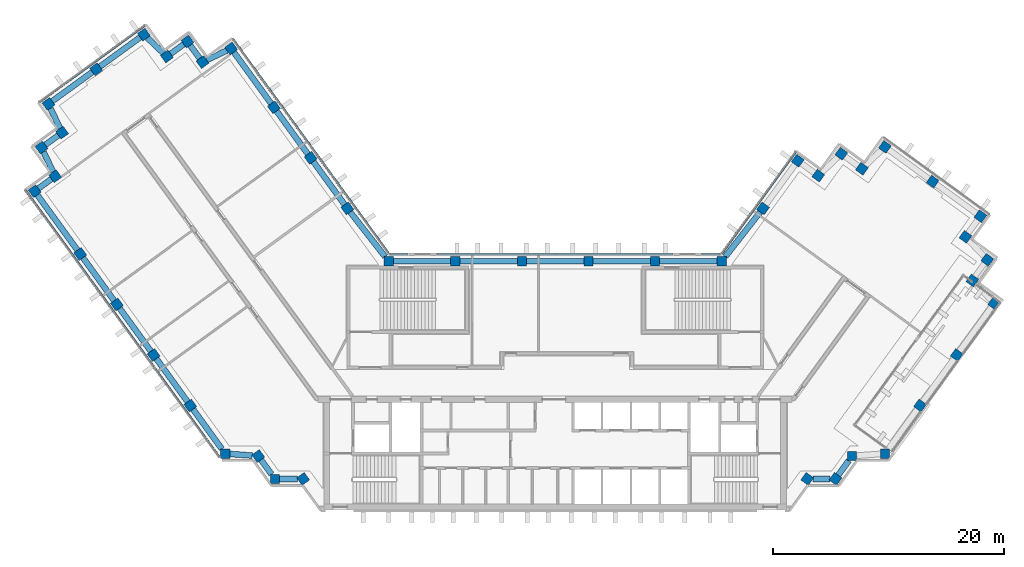
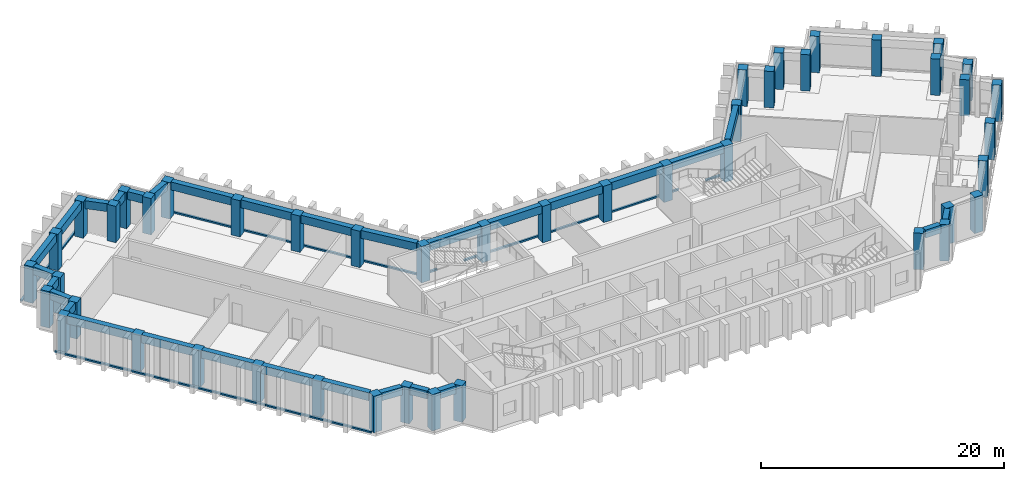
"""IFC4 building model written with IfcOpenShell, lengths in metres."""

from ifc_helpers import new_model, si_unit, direction, frame, origin, origin_2d, place, context, subcontext, project, spatial, rectangle, extrude, material, material_profile, profile_set, type_object, element, aggregate, save


model = new_model("IFC4")

# Units and contexts
model_context = context("Model", 3, precision=1e-05, world=origin(), true_north=direction((0.0, 1.0)))
body_context = subcontext(model_context, "Body", "Model", "MODEL_VIEW")
ifc_project = project(units=[si_unit("LENGTHUNIT", "METRE"), si_unit("AREAUNIT", "SQUARE_METRE"), si_unit("VOLUMEUNIT", "CUBIC_METRE"), si_unit("PLANEANGLEUNIT", "RADIAN"), si_unit("MASSUNIT", "GRAM", prefix="KILO")], contexts=[model_context])

# Site, building, storey
site_placement = place(None, origin())
site = spatial("IfcSite", under=ifc_project, at=site_placement, CompositionType="ELEMENT")
building_placement = place(site_placement, origin())
building = spatial("IfcBuilding", under=site, at=building_placement, Name="Quipu Civic Tower", CompositionType="ELEMENT")
storey_1_placement = place(building_placement, frame((0.0, 0.0, 202.0)))
storey_1 = spatial("IfcBuildingStorey", under=building, at=storey_1_placement, Name="L47", CompositionType="ELEMENT", Elevation=202.0)

# Columns
ifc_material_1 = material(Name="Concrete C50/60", Category="concrete")
ifc_material_profile_1 = material_profile(ifc_material_1, rectangle(XDim=0.800048828125, YDim=0.800048828125, at=origin_2d()), Name="RC800x800")
ifc_profile_set_1 = profile_set([ifc_material_profile_1], Name="Concrete C50/60")
column_type = type_object("IfcColumnType", Name="Perimeter column RC 800x800 C50/60", PredefinedType="COLUMN", material=ifc_profile_set_1)
for number, where, z_axis, x_axis, name in (
    (1, (-17.9736328125, 15.074951171875, 0.0), (0.0, 0.0, 1.0), (-0.587785252292, 0.809016994375, 0.0), "Column L47 W-IN-01"),
    (2, (-21.1474609375, 19.44384765625, 0.0), (0.0, 0.0, 1.0), (-0.587785252292, 0.809016994375, 0.0), "Column L47 W-IN-02"),
    (3, (-24.3212890625, 23.8125, 0.0), (0.0, 0.0, 1.0), (-0.587785252292, 0.809016994375, 0.0), "Column L47 W-IN-03"),
    (4, (-28.02001953125, 28.905029296875, 0.0), (0.0, 0.0, 1.0), (-0.809016994375, -0.587785252292, 0.0), "Column L47 T-Wi.0-W34"),
    (5, (-30.498779296875, 27.72265625, 0.0), (0.0, 0.0, 1.0), (-0.809016994375, -0.587785252292, 0.0), "Column L47 T-Wi.1-W34"),
    (6, (-31.794921875, 29.5, 0.0), (0.0, 0.0, 1.0), (-0.587785252292, 0.809016994375, 0.0), "Column L47 T-Wi.2-W34"),
    (7, (-33.573974609375, 28.20947265625, 0.0), (0.0, 0.0, 1.0), (-0.587785252292, 0.809016994375, 0.0), "Column L47 T-Wi.3-W34"),
    (8, (-35.56494140625, 30.10009765625, 0.0), (0.0, 0.0, 1.0), (-0.809016994375, -0.587785252292, 0.0), "Column L47 T-Wi.4-W34"),
    (9, (-39.690673828125, 27.10205078125, 0.0), (0.0, 0.0, 1.0), (-0.809016994375, -0.587785252292, 0.0), "Column L47 TIP-W-01-W34"),
    (10, (-43.81494140625, 24.10498046875, 0.0), (0.0, 0.0, 1.0), (-0.809016994375, -0.587785252292, 0.0), "Column L47 T-Wo.0-W34"),
    (11, (-42.635009765625, 21.626220703125, 0.0), (0.0, 0.0, 1.0), (-0.809016994375, -0.587785252292, 0.0), "Column L47 T-Wo.1-W34"),
    (12, (-44.4150390625, 20.3349609375, 0.0), (0.0, 0.0, 1.0), (0.587785252292, -0.809016994375, 0.0), "Column L47 T-Wo.2-W34"),
    (13, (-43.23095703125, 17.8544921875, 0.0), (0.0, 0.0, 1.0), (0.587785252292, -0.809016994375, 0.0), "Column L47 T-Wo.3-W34"),
    (14, (-45.010009765625, 16.56005859375, 0.0), (0.0, 0.0, 1.0), (0.587785252292, -0.809016994375, 0.0), "Column L47 T-Wo.4-W34"),
    (15, (-41.0703125, 11.137451171875, 0.0), (0.0, 0.0, 1.0), (0.587785252292, -0.809016994375, 0.0), "Column L47 W-OUT-04"),
    (16, (-37.896240234375, 6.768798828125, 0.0), (0.0, 0.0, 1.0), (0.587785252292, -0.809016994375, 0.0), "Column L47 W-OUT-03"),
    (17, (-34.722412109375, 2.39990234375, 0.0), (0.0, 0.0, 1.0), (0.587785252292, -0.809016994375, 0.0), "Column L47 W-OUT-02"),
    (18, (-31.54833984375, -1.96875, 0.0), (0.0, 0.0, 1.0), (0.587785252292, -0.809016994375, 0.0), "Column L47 W-OUT-01"),
    (19, (-28.52490234375, -6.1298828125, 0.0), (0.0, 0.0, 1.0), (1.0, 0.0, 0.0), "Column L47 J-Wo.0"),
    (20, (-25.67431640625, -6.3369140625, 0.0), (0.0, 0.0, 1.0), (0.587785252292, -0.809016994375, 0.0), "Column L47 J-Wo.1"),
    (21, (-24.235107421875, -8.31494140625, 0.0), (0.0, 0.0, 1.0), (1.0, 0.0, 0.0), "Column L47 J-Wo.2"),
    (22, (-21.791748046875, -8.31494140625, 0.0), (0.0, 0.0, 1.0), (0.587785252292, -0.809016994375, 0.0), "Column L47 J-Wo.3"),
    (23, (21.791748046875, -8.31494140625, 0.0), (0.0, 0.0, 1.0), (0.587785252292, 0.809016994375, 0.0), "Column L47 J-Eo.1"),
    (24, (24.235107421875, -8.31494140625, 0.0), (0.0, 0.0, 1.0), (0.587785252292, 0.809016994375, 0.0), "Column L47 J-Eo.2"),
    (25, (25.67431640625, -6.3369140625, 0.0), (0.0, 0.0, 1.0), (1.0, 0.0, 0.0), "Column L47 J-Eo.3"),
    (26, (28.52490234375, -6.1298828125, 0.0), (0.0, 0.0, 1.0), (1.0, 0.0, 0.0), "Column L47 J-Eo.4"),
    (27, (31.54833984375, -1.96875, 0.0), (0.0, 0.0, 1.0), (0.587785252292, 0.809016994375, 0.0), "Column L47 E-OUT-01"),
    (28, (34.722412109375, 2.39990234375, 0.0), (0.0, 0.0, 1.0), (0.587785252292, 0.809016994375, 0.0), "Column L47 E-OUT-02"),
    (29, (37.9599609375, 6.85498046875, 0.0), (0.0, 0.0, 1.0), (0.587785252292, 0.809016994375, 0.0), "Column L47 T-Eo.0-E22"),
    (30, (36.068115234375, 8.843994140625, 0.0), (0.0, 0.0, 1.0), (0.587785252292, 0.809016994375, 0.0), "Column L47 T-Eo.1-E22"),
    (31, (37.360107421875, 10.625, 0.0), (0.0, 0.0, 1.0), (0.587785252292, 0.809016994375, 0.0), "Column L47 T-Eo.2-E22"),
    (32, (35.470703125, 12.616455078125, 0.0), (0.0, 0.0, 1.0), (-0.809016994375, 0.587785252292, 0.0), "Column L47 T-Eo.3-E22"),
    (33, (36.764892578125, 14.39501953125, 0.0), (0.0, 0.0, 1.0), (-0.809016994375, 0.587785252292, 0.0), "Column L47 T-Eo.4-E22"),
    (34, (32.636962890625, 17.39306640625, 0.0), (0.0, 0.0, 1.0), (-0.809016994375, 0.587785252292, 0.0), "Column L47 TIP-E-01-E22"),
    (35, (28.510009765625, 20.389892578125, 0.0), (0.0, 0.0, 1.0), (-0.587785252292, -0.809016994375, 0.0), "Column L47 T-Ei.0-E22"),
    (36, (26.51904296875, 18.50048828125, 0.0), (0.0, 0.0, 1.0), (-0.809016994375, 0.587785252292, 0.0), "Column L47 T-Ei.1-E22"),
    (37, (24.739990234375, 19.794921875, 0.0), (0.0, 0.0, 1.0), (-0.587785252292, -0.809016994375, 0.0), "Column L47 T-Ei.2-E22"),
    (38, (22.749267578125, 17.904296875, 0.0), (0.0, 0.0, 1.0), (-0.587785252292, -0.809016994375, 0.0), "Column L47 T-Ei.3-E22"),
    (39, (20.969970703125, 19.195068359375, 0.0), (0.0, 0.0, 1.0), (-0.587785252292, -0.809016994375, 0.0), "Column L47 T-Ei.4-E22"),
    (40, (17.9736328125, 15.074951171875, 0.0), (0.0, 0.0, 1.0), (-0.587785252292, -0.809016994375, 0.0), "Column L47 E-IN-01"),
    (41, (14.395263671875, 10.5, 0.0), (0.0, 0.0, 1.0), (-1.0, 0.0, 0.0), "Column L47 J-Ei.0"),
    (42, (8.63720703125, 10.5, 0.0), (0.0, 0.0, 1.0), (-1.0, 0.0, 0.0), "Column L47 FRONT-01"),
    (43, (2.87890625, 10.5, 0.0), (0.0, 0.0, 1.0), (-1.0, 0.0, 0.0), "Column L47 FRONT-02"),
    (44, (-2.87890625, 10.5, 0.0), (0.0, 0.0, 1.0), (-1.0, 0.0, 0.0), "Column L47 FRONT-03"),
    (45, (-8.63720703125, 10.5, 0.0), (0.0, 0.0, 1.0), (-1.0, 0.0, 0.0), "Column L47 FRONT-04"),
    (46, (-14.395263671875, 10.5, 0.0), (0.0, 0.0, 1.0), (-1.0, 0.0, 0.0), "Column L47 J-Wi.0"),
):
    element("IfcColumn", number, at=place(storey_1_placement, frame(where, z_axis=z_axis, x_axis=x_axis)), inside=storey_1, type_object=column_type, Name=name, PredefinedType="COLUMN", context=body_context, shape_type="SweptSolid", body=[
        extrude(rectangle(XDim=0.800048828125, YDim=0.800048828125, at=origin_2d()), origin(), (0.0, 0.0, 1.0), 3.64990234375),
    ])

# Beams
ifc_material_2 = material(Name="Concrete C50/60", Category="concrete")
ifc_material_profile_2 = material_profile(ifc_material_2, rectangle(XDim=0.5, YDim=0.800048828125, at=origin_2d()), Name="RC500x800")
ifc_profile_set_2 = profile_set([ifc_material_profile_2], Name="Concrete C50/60")
beam_type = type_object("IfcBeamType", Name="Spandrel beam RC 500x800 C50/60", PredefinedType="SPANDREL", material=ifc_profile_set_2)
beam_1_placement = place(storey_1_placement, frame((-18.208740234375, 15.398681640625, 3.25), z_axis=(-0.58776136044, 0.809034352283, 0.0), x_axis=(-0.809034352283, -0.58776136044, 0.0)))
element("IfcBeam", 47, at=beam_1_placement, inside=storey_1, type_object=beam_type, Name="Spandrel beam L47 W-IN-01 to W-IN-02", PredefinedType="SPANDREL", context=body_context, shape_type="SweptSolid", body=[
    extrude(rectangle(XDim=0.5, YDim=0.800048828125, at=origin_2d()), origin(), (0.0, 0.0, 1.0), 4.599853515625),
])
beam_2_placement = place(storey_1_placement, frame((-21.382568359375, 19.767333984375, 3.25), z_axis=(-0.587736122681, 0.809052686848, 0.0), x_axis=(-0.809052686848, -0.587736122681, 0.0)))
element("IfcBeam", 48, at=beam_2_placement, inside=storey_1, type_object=beam_type, Name="Spandrel beam L47 W-IN-02 to W-IN-03", PredefinedType="SPANDREL", context=body_context, shape_type="SweptSolid", body=[
    extrude(rectangle(XDim=0.5, YDim=0.800048828125, at=origin_2d()), origin(), (0.0, 0.0, 1.0), 4.60009765625),
])
beam_3_placement = place(storey_1_placement, frame((-24.556396484375, 24.13623046875, 3.25), z_axis=(-0.587664254196, 0.809104890815, 0.0), x_axis=(-0.809104890815, -0.587664254196, 0.0)))
element("IfcBeam", 49, at=beam_3_placement, inside=storey_1, type_object=beam_type, Name="Spandrel beam L47 W-IN-03 to T-Wi.0-W34", PredefinedType="SPANDREL", context=body_context, shape_type="SweptSolid", body=[
    extrude(rectangle(XDim=0.5, YDim=0.800048828125, at=origin_2d()), origin(), (0.0, 0.0, 1.0), 5.493896484375),
])
beam_4_placement = place(storey_1_placement, frame((-28.38720703125, 28.72998046875, 3.25), z_axis=(-0.902584802379, -0.430512107279, 0.0), x_axis=(0.430512107279, -0.902584802379, 0.0)))
element("IfcBeam", 50, at=beam_4_placement, inside=storey_1, type_object=beam_type, Name="Spandrel beam L47 T-Wi.0-W34 to T-Wi.1-W34", PredefinedType="SPANDREL", context=body_context, shape_type="SweptSolid", body=[
    extrude(rectangle(XDim=0.5, YDim=0.800048828125, at=origin_2d()), origin(), (0.0, 0.0, 1.0), 1.9326171875),
])
beam_5_placement = place(storey_1_placement, frame((-30.734375, 28.0458984375, 3.25), z_axis=(-0.589342949835, 0.80788296645, 0.0), x_axis=(-0.80788296645, -0.589342949835, 0.0)))
element("IfcBeam", 51, at=beam_5_placement, inside=storey_1, type_object=beam_type, Name="Spandrel beam L47 T-Wi.1-W34 to T-Wi.2-W34", PredefinedType="SPANDREL", context=body_context, shape_type="SweptSolid", body=[
    extrude(rectangle(XDim=0.5, YDim=0.800048828125, at=origin_2d()), origin(), (0.0, 0.0, 1.0), 1.39990234375),
])
beam_6_placement = place(storey_1_placement, frame((-32.118896484375, 29.26513671875, 3.25), z_axis=(-0.80941533633, -0.587236590578, 0.0), x_axis=(0.587236590578, -0.80941533633, 0.0)))
element("IfcBeam", 52, at=beam_6_placement, inside=storey_1, type_object=beam_type, Name="Spandrel beam L47 T-Wi.2-W34 to T-Wi.3-W34", PredefinedType="SPANDREL", context=body_context, shape_type="SweptSolid", body=[
    extrude(rectangle(XDim=0.5, YDim=0.800048828125, at=origin_2d()), origin(), (0.0, 0.0, 1.0), 1.397705078125),
])
beam_7_placement = place(storey_1_placement, frame((-33.868896484375, 28.489501953125, 3.25), z_axis=(-0.72519185421, 0.68854685722, 0.0), x_axis=(-0.68854685722, -0.72519185421, 0.0)))
element("IfcBeam", 53, at=beam_7_placement, inside=storey_1, type_object=beam_type, Name="Spandrel beam L47 T-Wi.3-W34 to T-Wi.4-W34", PredefinedType="SPANDREL", context=body_context, shape_type="SweptSolid", body=[
    extrude(rectangle(XDim=0.5, YDim=0.800048828125, at=origin_2d()), origin(), (0.0, 0.0, 1.0), 1.93212890625),
])
beam_8_placement = place(storey_1_placement, frame((-35.888671875, 29.86474609375, 3.25), z_axis=(-0.808983997561, -0.58783066583, 0.0), x_axis=(0.58783066583, -0.808983997561, 0.0)))
element("IfcBeam", 54, at=beam_8_placement, inside=storey_1, type_object=beam_type, Name="Spandrel beam L47 T-Wi.4-W34 to TIP-W-01-W34", PredefinedType="SPANDREL", context=body_context, shape_type="SweptSolid", body=[
    extrude(rectangle(XDim=0.5, YDim=0.800048828125, at=origin_2d()), origin(), (0.0, 0.0, 1.0), 4.2998046875),
])
beam_9_placement = place(storey_1_placement, frame((-40.014404296875, 26.866943359375, 3.25), z_axis=(-0.808947267178, -0.587881211578, 0.0), x_axis=(0.587881211578, -0.808947267178, 0.0)))
element("IfcBeam", 55, at=beam_9_placement, inside=storey_1, type_object=beam_type, Name="Spandrel beam L47 TIP-W-01-W34 to T-Wo.0-W34", PredefinedType="SPANDREL", context=body_context, shape_type="SweptSolid", body=[
    extrude(rectangle(XDim=0.5, YDim=0.800048828125, at=origin_2d()), origin(), (0.0, 0.0, 1.0), 4.29833984375),
])
beam_10_placement = place(storey_1_placement, frame((-43.64013671875, 23.737548828125, 3.25), z_axis=(0.429889421342, -0.902881545618, 0.0), x_axis=(0.902881545618, 0.429889421342, 0.0)))
element("IfcBeam", 56, at=beam_10_placement, inside=storey_1, type_object=beam_type, Name="Spandrel beam L47 T-Wo.0-W34 to T-Wo.1-W34", PredefinedType="SPANDREL", context=body_context, shape_type="SweptSolid", body=[
    extrude(rectangle(XDim=0.5, YDim=0.800048828125, at=origin_2d()), origin(), (0.0, 0.0, 1.0), 1.931396484375),
])
beam_11_placement = place(storey_1_placement, frame((-42.958740234375, 21.391357421875, 3.25), z_axis=(-0.809467380413, -0.587164849125, 0.0), x_axis=(0.587164849125, -0.809467380413, 0.0)))
element("IfcBeam", 57, at=beam_11_placement, inside=storey_1, type_object=beam_type, Name="Spandrel beam L47 T-Wo.1-W34 to T-Wo.2-W34", PredefinedType="SPANDREL", context=body_context, shape_type="SweptSolid", body=[
    extrude(rectangle(XDim=0.5, YDim=0.800048828125, at=origin_2d()), origin(), (0.0, 0.0, 1.0), 1.399169921875),
])
beam_12_placement = place(storey_1_placement, frame((-44.23974609375, 19.9677734375, 3.25), z_axis=(0.430785642718, -0.902454281406, 0.0), x_axis=(0.902454281406, 0.430785642718, 0.0)))
element("IfcBeam", 58, at=beam_12_placement, inside=storey_1, type_object=beam_type, Name="Spandrel beam L47 T-Wo.2-W34 to T-Wo.3-W34", PredefinedType="SPANDREL", context=body_context, shape_type="SweptSolid", body=[
    extrude(rectangle(XDim=0.5, YDim=0.800048828125, at=origin_2d()), origin(), (0.0, 0.0, 1.0), 1.934814453125),
])
beam_13_placement = place(storey_1_placement, frame((-43.554443359375, 17.619140625, 3.25), z_axis=(-0.808600329101, -0.588358315805, 0.0), x_axis=(0.588358315805, -0.808600329101, 0.0)))
element("IfcBeam", 59, at=beam_13_placement, inside=storey_1, type_object=beam_type, Name="Spandrel beam L47 T-Wo.3-W34 to T-Wo.4-W34", PredefinedType="SPANDREL", context=body_context, shape_type="SweptSolid", body=[
    extrude(rectangle(XDim=0.5, YDim=0.800048828125, at=origin_2d()), origin(), (0.0, 0.0, 1.0), 1.400146484375),
])
beam_14_placement = place(storey_1_placement, frame((-44.77490234375, 16.236328125, 3.25), z_axis=(0.58780026889, -0.809006083965, 0.0), x_axis=(0.809006083965, 0.58780026889, 0.0)))
element("IfcBeam", 60, at=beam_14_placement, inside=storey_1, type_object=beam_type, Name="Spandrel beam L47 T-Wo.4-W34 to W-OUT-04", PredefinedType="SPANDREL", context=body_context, shape_type="SweptSolid", body=[
    extrude(rectangle(XDim=0.5, YDim=0.800048828125, at=origin_2d()), origin(), (0.0, 0.0, 1.0), 5.902587890625),
])
beam_15_placement = place(storey_1_placement, frame((-40.835205078125, 10.81396484375, 3.25), z_axis=(0.587770861189, -0.809027449928, 0.0), x_axis=(0.809027449928, 0.587770861189, 0.0)))
element("IfcBeam", 61, at=beam_15_placement, inside=storey_1, type_object=beam_type, Name="Spandrel beam L47 W-OUT-04 to W-OUT-03", PredefinedType="SPANDREL", context=body_context, shape_type="SweptSolid", body=[
    extrude(rectangle(XDim=0.5, YDim=0.800048828125, at=origin_2d()), origin(), (0.0, 0.0, 1.0), 4.60009765625),
])
beam_16_placement = place(storey_1_placement, frame((-37.6611328125, 6.445068359375, 3.25), z_axis=(0.58776136044, -0.809034352283, 0.0), x_axis=(0.809034352283, 0.58776136044, 0.0)))
element("IfcBeam", 62, at=beam_16_placement, inside=storey_1, type_object=beam_type, Name="Spandrel beam L47 W-OUT-03 to W-OUT-02", PredefinedType="SPANDREL", context=body_context, shape_type="SweptSolid", body=[
    extrude(rectangle(XDim=0.5, YDim=0.800048828125, at=origin_2d()), origin(), (0.0, 0.0, 1.0), 4.599853515625),
])
beam_17_placement = place(storey_1_placement, frame((-34.4873046875, 2.076416015625, 3.25), z_axis=(0.587796098864, -0.809009113768, 0.0), x_axis=(0.809009113768, 0.587796098864, 0.0)))
element("IfcBeam", 63, at=beam_17_placement, inside=storey_1, type_object=beam_type, Name="Spandrel beam L47 W-OUT-02 to W-OUT-01", PredefinedType="SPANDREL", context=body_context, shape_type="SweptSolid", body=[
    extrude(rectangle(XDim=0.5, YDim=0.800048828125, at=origin_2d()), origin(), (0.0, 0.0, 1.0), 4.60009765625),
])
beam_18_placement = place(storey_1_placement, frame((-31.313232421875, -2.292236328125, 3.25), z_axis=(0.58776850526, -0.809029161541, 0.0), x_axis=(0.809029161541, 0.58776850526, 0.0)))
element("IfcBeam", 64, at=beam_18_placement, inside=storey_1, type_object=beam_type, Name="Spandrel beam L47 W-OUT-01 to J-Wo.0", PredefinedType="SPANDREL", context=body_context, shape_type="SweptSolid", body=[
    extrude(rectangle(XDim=0.5, YDim=0.800048828125, at=origin_2d()), origin(), (0.0, 0.0, 1.0), 4.249267578125),
])
beam_19_placement = place(storey_1_placement, frame((-28.125, -6.158935546875, 3.25), z_axis=(0.997370796499, -0.072467194581, 0.0), x_axis=(0.072467194581, 0.997370796499, 0.0)))
element("IfcBeam", 65, at=beam_19_placement, inside=storey_1, type_object=beam_type, Name="Spandrel beam L47 J-Wo.0 to J-Wo.1", PredefinedType="SPANDREL", context=body_context, shape_type="SweptSolid", body=[
    extrude(rectangle(XDim=0.5, YDim=0.800048828125, at=origin_2d()), origin(), (0.0, 0.0, 1.0), 1.933837890625),
])
beam_20_placement = place(storey_1_placement, frame((-25.43896484375, -6.660400390625, 3.25), z_axis=(0.588330737135, -0.808620395329, 0.0), x_axis=(0.808620395329, 0.588330737135, 0.0)))
element("IfcBeam", 66, at=beam_20_placement, inside=storey_1, type_object=beam_type, Name="Spandrel beam L47 J-Wo.1 to J-Wo.2", PredefinedType="SPANDREL", context=body_context, shape_type="SweptSolid", body=[
    extrude(rectangle(XDim=0.5, YDim=0.800048828125, at=origin_2d()), origin(), (0.0, 0.0, 1.0), 1.551513671875),
])
beam_21_placement = place(storey_1_placement, frame((-23.8349609375, -8.31494140625, 3.25), z_axis=(1.0, 0.0, 0.0), x_axis=(0.0, 1.0, 0.0)))
element("IfcBeam", 67, at=beam_21_placement, inside=storey_1, type_object=beam_type, Name="Spandrel beam L47 J-Wo.2 to J-Wo.3", PredefinedType="SPANDREL", context=body_context, shape_type="SweptSolid", body=[
    extrude(rectangle(XDim=0.5, YDim=0.800048828125, at=origin_2d()), origin(), (0.0, 0.0, 1.0), 1.548828125),
])
beam_22_placement = place(storey_1_placement, frame((22.2861328125, -8.31494140625, 3.25), z_axis=(1.0, 0.0, 0.0), x_axis=(0.0, 1.0, 0.0)))
element("IfcBeam", 68, at=beam_22_placement, inside=storey_1, type_object=beam_type, Name="Spandrel beam L47 J-Eo.1 to J-Eo.2", PredefinedType="SPANDREL", context=body_context, shape_type="SweptSolid", body=[
    extrude(rectangle(XDim=0.5, YDim=0.800048828125, at=origin_2d()), origin(), (0.0, 0.0, 1.0), 1.454345703125),
])
beam_23_placement = place(storey_1_placement, frame((24.470458984375, -7.991455078125, 3.25), z_axis=(0.588405601119, 0.808565920981, 0.0), x_axis=(-0.808565920981, 0.588405601119, 0.0)))
element("IfcBeam", 69, at=beam_23_placement, inside=storey_1, type_object=beam_type, Name="Spandrel beam L47 J-Eo.2 to J-Eo.3", PredefinedType="SPANDREL", context=body_context, shape_type="SweptSolid", body=[
    extrude(rectangle(XDim=0.5, YDim=0.800048828125, at=origin_2d()), origin(), (0.0, 0.0, 1.0), 1.55126953125),
])
beam_24_placement = place(storey_1_placement, frame((17.72705078125, 14.759765625, 3.25), z_axis=(-0.616090612932, -0.787675286306, 0.0), x_axis=(0.787675286306, -0.616090612932, 0.0)))
element("IfcBeam", 70, at=beam_24_placement, inside=storey_1, type_object=beam_type, Name="Spandrel beam L47 E-IN-01 to J-Ei.0", PredefinedType="SPANDREL", context=body_context, shape_type="SweptSolid", body=[
    extrude(rectangle(XDim=0.5, YDim=0.800048828125, at=origin_2d()), origin(), (0.0, 0.0, 1.0), 4.900390625),
])
for number, where, z_axis, x_axis, name in (
    (71, (13.9951171875, 10.5, 3.25), (-1.0, 0.0, 0.0), (0.0, -1.0, 0.0), "Spandrel beam L47 J-Ei.0 to FRONT-01"),
    (72, (8.237060546875, 10.5, 3.25), (-1.0, 0.0, 0.0), (0.0, -1.0, 0.0), "Spandrel beam L47 FRONT-01 to FRONT-02"),
    (73, (2.47900390625, 10.5, 3.25), (-1.0, 0.0, 0.0), (0.0, -1.0, 0.0), "Spandrel beam L47 FRONT-02 to FRONT-03"),
    (74, (-3.279052734375, 10.5, 3.25), (-1.0, 0.0, 0.0), (0.0, -1.0, 0.0), "Spandrel beam L47 FRONT-03 to FRONT-04"),
    (75, (-9.037109375, 10.5, 3.25), (-1.0, 0.0, 0.0), (0.0, -1.0, 0.0), "Spandrel beam L47 FRONT-04 to J-Wi.0"),
):
    element("IfcBeam", number, at=place(storey_1_placement, frame(where, z_axis=z_axis, x_axis=x_axis)), inside=storey_1, type_object=beam_type, Name=name, PredefinedType="SPANDREL", context=body_context, shape_type="SweptSolid", body=[
        extrude(rectangle(XDim=0.5, YDim=0.800048828125, at=origin_2d()), origin(), (0.0, 0.0, 1.0), 4.9580078125),
    ])
beam_25_placement = place(storey_1_placement, frame((-14.7080078125, 10.89990234375, 3.25), z_axis=(-0.616090612932, 0.787675286306, 0.0), x_axis=(-0.787675286306, -0.616090612932, 0.0)))
element("IfcBeam", 76, at=beam_25_placement, inside=storey_1, type_object=beam_type, Name="Spandrel beam L47 J-Wi.0 to W-IN-01", PredefinedType="SPANDREL", context=body_context, shape_type="SweptSolid", body=[
    extrude(rectangle(XDim=0.5, YDim=0.800048828125, at=origin_2d()), origin(), (0.0, 0.0, 1.0), 4.900390625),
])

# Storey
storey_2_placement = place(building_placement, frame((0.0, 0.0, 198.0)))
storey_2 = spatial("IfcBuildingStorey", under=building, at=storey_2_placement, Name="L46", CompositionType="ELEMENT", Elevation=198.0)

# Curtain wall, member
ifc_material_3 = material(Name="Insulated glass unit", Category="glass")
curtain_wall_type = type_object("IfcCurtainWallType", Name="Office curtain wall CW1", PredefinedType="NOTDEFINED", material=ifc_material_3)
curtain_wall_1_placement = place(storey_2_placement, origin())
curtain_wall_1 = element("IfcCurtainWall", 77, at=curtain_wall_1_placement, inside=storey_2, type_object=curtain_wall_type, Name="Office curtain wall CW1 L45 run 11", PredefinedType="NOTDEFINED")
ifc_material_4 = material(Name="Anodised aluminium", Category="aluminium")
ifc_material_profile_3 = material_profile(ifc_material_4, rectangle(XDim=0.199951171875, YDim=0.159912109375, at=origin_2d()), Name="RECT 200x160")
ifc_profile_set_3 = profile_set([ifc_material_profile_3], Name="Anodised aluminium")
member_type = type_object("IfcMemberType", Name="Transom CW1", PredefinedType="USERDEFINED", material=ifc_profile_set_3)
member_1_placement = place(storey_1_placement, frame((20.788818359375, 19.97021484375, 0.080078125), z_axis=(-0.587796859727, -0.809008560953, 0.0), x_axis=(0.809008560953, -0.587796859727, 0.0)))
member_1 = element("IfcMember", 78, at=member_1_placement, inside=storey_1, type_object=member_type, Name="CW1 transom 1.3", ObjectType="TRANSOM", PredefinedType="USERDEFINED", context=body_context, shape_type="SweptSolid", body=[
    extrude(rectangle(XDim=0.199951171875, YDim=0.159912109375, at=origin_2d()), origin(), (0.0, 0.0, 1.0), 10.88427734375),
])
aggregate(curtain_wall_1, [member_1])

curtain_wall_2_placement = place(storey_2_placement, origin())
curtain_wall_2 = element("IfcCurtainWall", 79, at=curtain_wall_2_placement, inside=storey_2, type_object=curtain_wall_type, Name="Office curtain wall CW1 L45 run 12", PredefinedType="NOTDEFINED")
member_2_placement = place(storey_1_placement, frame((14.26416015625, 11.10009765625, 0.080078125), z_axis=(-1.0, 0.0, 0.0), x_axis=(0.0, -1.0, 0.0)))
member_2 = element("IfcMember", 80, at=member_2_placement, inside=storey_1, type_object=member_type, Name="CW1 transom 1.3", ObjectType="TRANSOM", PredefinedType="USERDEFINED", context=body_context, shape_type="SweptSolid", body=[
    extrude(rectangle(XDim=0.199951171875, YDim=0.159912109375, at=origin_2d()), origin(), (0.0, 0.0, 1.0), 1.529052734375),
])
aggregate(curtain_wall_2, [member_2])

# Curtain wall, members
curtain_wall_3_placement = place(storey_2_placement, origin())
curtain_wall_3 = element("IfcCurtainWall", 81, at=curtain_wall_3_placement, inside=storey_2, type_object=curtain_wall_type, Name="Office curtain wall CW1 L45 run 14", PredefinedType="NOTDEFINED")
member_3_placement = place(storey_1_placement, frame((10.18359375, 11.10009765625, 0.080078125), z_axis=(-1.0, 0.0, 0.0), x_axis=(0.0, -1.0, 0.0)))
member_3 = element("IfcMember", 82, at=member_3_placement, inside=storey_1, type_object=member_type, Name="CW1 transom 1.3", ObjectType="TRANSOM", PredefinedType="USERDEFINED", context=body_context, shape_type="SweptSolid", body=[
    extrude(rectangle(XDim=0.199951171875, YDim=0.159912109375, at=origin_2d()), origin(), (0.0, 0.0, 1.0), 10.1435546875),
])
member_4_placement = place(storey_1_placement, frame((-0.0400390625, 11.10009765625, 0.080078125), z_axis=(-1.0, 0.0, 0.0), x_axis=(0.0, -1.0, 0.0)))
member_4 = element("IfcMember", 83, at=member_4_placement, inside=storey_1, type_object=member_type, Name="CW1 transom 2.3", ObjectType="TRANSOM", PredefinedType="USERDEFINED", context=body_context, shape_type="SweptSolid", body=[
    extrude(rectangle(XDim=0.199951171875, YDim=0.159912109375, at=origin_2d()), origin(), (0.0, 0.0, 1.0), 10.1435546875),
])
aggregate(curtain_wall_3, [member_3, member_4])

# Curtain wall, member
curtain_wall_4_placement = place(storey_2_placement, origin())
curtain_wall_4 = element("IfcCurtainWall", 84, at=curtain_wall_4_placement, inside=storey_2, type_object=curtain_wall_type, Name="Office curtain wall CW1 L45 run 16", PredefinedType="NOTDEFINED")
member_5_placement = place(storey_1_placement, frame((-12.735107421875, 11.10009765625, 0.080078125), z_axis=(-1.0, 0.0, 0.0), x_axis=(0.0, -1.0, 0.0)))
member_5 = element("IfcMember", 85, at=member_5_placement, inside=storey_1, type_object=member_type, Name="CW1 transom 1.3", ObjectType="TRANSOM", PredefinedType="USERDEFINED", context=body_context, shape_type="SweptSolid", body=[
    extrude(rectangle(XDim=0.199951171875, YDim=0.159912109375, at=origin_2d()), origin(), (0.0, 0.0, 1.0), 1.529052734375),
])
aggregate(curtain_wall_4, [member_5])

# Curtain wall, members
curtain_wall_5_placement = place(storey_2_placement, origin())
curtain_wall_5 = element("IfcCurtainWall", 86, at=curtain_wall_5_placement, inside=storey_2, type_object=curtain_wall_type, Name="Office curtain wall CW1 L45 run 17", PredefinedType="NOTDEFINED")
member_6_placement = place(storey_1_placement, frame((-14.39111328125, 11.164794921875, 0.080078125), z_axis=(-0.587799878401, 0.809006367683, 0.0), x_axis=(-0.809006367683, -0.587799878401, 0.0)))
member_6 = element("IfcMember", 87, at=member_6_placement, inside=storey_1, type_object=member_type, Name="CW1 transom 1.3", ObjectType="TRANSOM", PredefinedType="USERDEFINED", context=body_context, shape_type="SweptSolid", body=[
    extrude(rectangle(XDim=0.199951171875, YDim=0.159912109375, at=origin_2d()), origin(), (0.0, 0.0, 1.0), 11.402099609375),
])
member_7_placement = place(storey_1_placement, frame((-21.140380859375, 20.453857421875, 0.080078125), z_axis=(-0.587775682251, 0.809023947331, 0.0), x_axis=(-0.809023947331, -0.587775682251, 0.0)))
member_7 = element("IfcMember", 88, at=member_7_placement, inside=storey_1, type_object=member_type, Name="CW1 transom 2.3", ObjectType="TRANSOM", PredefinedType="USERDEFINED", context=body_context, shape_type="SweptSolid", body=[
    extrude(rectangle(XDim=0.199951171875, YDim=0.159912109375, at=origin_2d()), origin(), (0.0, 0.0, 1.0), 11.402099609375),
])
aggregate(curtain_wall_5, [member_6, member_7])

# Curtain wall, member
curtain_wall_6_placement = place(storey_2_placement, origin())
curtain_wall_6 = element("IfcCurtainWall", 89, at=curtain_wall_6_placement, inside=storey_2, type_object=curtain_wall_type, Name="Office curtain wall CW1 L45 run 22", PredefinedType="NOTDEFINED")
member_8_placement = place(storey_1_placement, frame((-35.496826171875, 30.890869140625, 0.080078125), z_axis=(-0.809014959561, -0.587788052963, 0.0), x_axis=(0.587788052963, -0.809014959561, 0.0)))
member_8 = element("IfcMember", 90, at=member_8_placement, inside=storey_1, type_object=member_type, Name="CW1 transom 1.3", ObjectType="TRANSOM", PredefinedType="USERDEFINED", context=body_context, shape_type="SweptSolid", body=[
    extrude(rectangle(XDim=0.199951171875, YDim=0.159912109375, at=origin_2d()), origin(), (0.0, 0.0, 1.0), 11.239990234375),
])
aggregate(curtain_wall_6, [member_8])

# Curtain wall, members
curtain_wall_7_placement = place(storey_2_placement, origin())
curtain_wall_7 = element("IfcCurtainWall", 91, at=curtain_wall_7_placement, inside=storey_2, type_object=curtain_wall_type, Name="Office curtain wall CW1 L45 run 27", PredefinedType="NOTDEFINED")
member_9_placement = place(storey_1_placement, frame((-45.802490234375, 16.629638671875, 0.080078125), z_axis=(0.587783783239, -0.809018061703, 0.0), x_axis=(0.809018061703, 0.587783783239, 0.0)))
member_9 = element("IfcMember", 92, at=member_9_placement, inside=storey_1, type_object=member_type, Name="CW1 transom 1.3", ObjectType="TRANSOM", PredefinedType="USERDEFINED", context=body_context, shape_type="SweptSolid", body=[
    extrude(rectangle(XDim=0.199951171875, YDim=0.159912109375, at=origin_2d()), origin(), (0.0, 0.0, 1.0), 9.431884765625),
])
member_10_placement = place(storey_1_placement, frame((-40.21142578125, 8.934326171875, 0.080078125), z_axis=(0.587773158676, -0.809025780763, 0.0), x_axis=(0.809025780763, 0.587773158676, 0.0)))
member_10 = element("IfcMember", 93, at=member_10_placement, inside=storey_1, type_object=member_type, Name="CW1 transom 2.3", ObjectType="TRANSOM", PredefinedType="USERDEFINED", context=body_context, shape_type="SweptSolid", body=[
    extrude(rectangle(XDim=0.199951171875, YDim=0.159912109375, at=origin_2d()), origin(), (0.0, 0.0, 1.0), 9.471923828125),
])
member_11_placement = place(storey_1_placement, frame((-34.596923828125, 1.20654296875, 0.080078125), z_axis=(0.587783783239, -0.809018061703, 0.0), x_axis=(0.809018061703, 0.587783783239, 0.0)))
member_11 = element("IfcMember", 94, at=member_11_placement, inside=storey_1, type_object=member_type, Name="CW1 transom 3.3", ObjectType="TRANSOM", PredefinedType="USERDEFINED", context=body_context, shape_type="SweptSolid", body=[
    extrude(rectangle(XDim=0.199951171875, YDim=0.159912109375, at=origin_2d()), origin(), (0.0, 0.0, 1.0), 9.431884765625),
])
aggregate(curtain_wall_7, [member_9, member_10, member_11])

save(model, "model.ifc")
